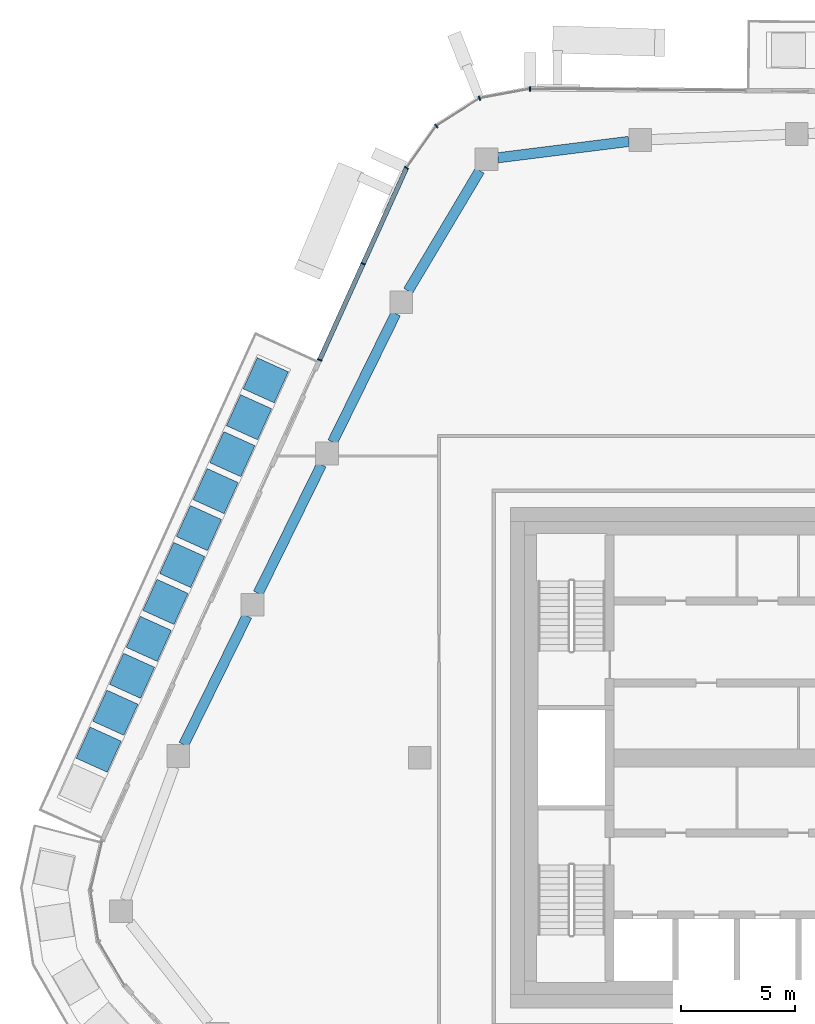
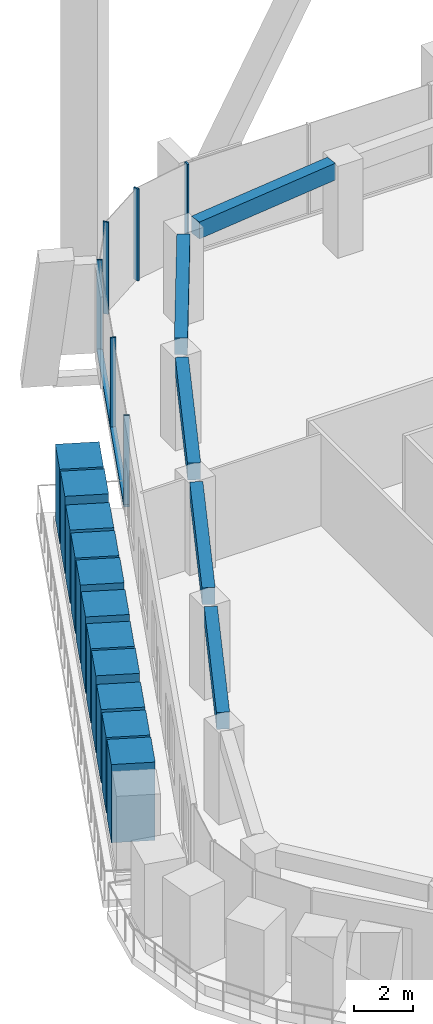
# One storey, part 6 of 23: 18 members, 5 beams, 3 elements without a shape of their own.
"""IFC4 building model written with IfcOpenShell, lengths in metres."""

from ifc_helpers import new_model, si_unit, direction, frame, origin, origin_2d, place, context, subcontext, project, spatial, rectangle, extrude, material, layer, layer_set, material_profile, profile_set, type_object, element, aggregate, save


model = new_model("IFC4")

# Units and contexts
model_context = context("Model", 3, precision=1e-05, world=origin(), true_north=direction((0.0, 1.0)))
body_context = subcontext(model_context, "Body", "Model", "MODEL_VIEW")
ifc_project = project(units=[si_unit("LENGTHUNIT", "METRE"), si_unit("AREAUNIT", "SQUARE_METRE"), si_unit("VOLUMEUNIT", "CUBIC_METRE"), si_unit("PLANEANGLEUNIT", "RADIAN"), si_unit("MASSUNIT", "GRAM", prefix="KILO")], contexts=[model_context])

# Site, building, storey
site_placement = place(None, origin())
site = spatial("IfcSite", under=ifc_project, at=site_placement, CompositionType="ELEMENT")
building_placement = place(site_placement, origin())
building = spatial("IfcBuilding", under=site, at=building_placement, Name="Dongbaek Canopy Tower", CompositionType="ELEMENT")
storey_placement = place(building_placement, frame((0.0, 0.0, 319.39990234375)))
storey = spatial("IfcBuildingStorey", under=building, at=storey_placement, Name="L68", CompositionType="ELEMENT", Elevation=319.39990234375)

# Curtain wall, member
ifc_material_1 = material(Name="Aluminium 6063-T6 pale anodised", Category="aluminium")
ifc_layer = layer(ifc_material_1, 0.199951171875)
ifc_layer_set = layer_set([ifc_layer], Name="CW-1 unitised tower curtain wall")
curtain_wall_type = type_object("IfcCurtainWallType", Name="CW-1 unitised tower curtain wall", PredefinedType="NOTDEFINED", material=ifc_layer_set)
curtain_wall_1_placement = place(storey_placement, origin())
curtain_wall_1 = element("IfcCurtainWall", 1, at=curtain_wall_1_placement, inside=storey, type_object=curtain_wall_type, Name="CW-1 curtain wall F1.1", PredefinedType="NOTDEFINED")
ifc_material_2 = material(Name="Aluminium 6063-T6 pale anodised", Category="aluminium")
ifc_material_profile_1 = material_profile(ifc_material_2, rectangle(XDim=0.199951171875, YDim=0.06005859375, at=origin_2d()), Name="CW-1 mullion 60 x 200")
ifc_profile_set_1 = profile_set([ifc_material_profile_1], Name="Aluminium 6063-T6 pale anodised")
member_type_1 = type_object("IfcMemberType", Name="CW-1 mullion 60 x 200", PredefinedType="MULLION", material=ifc_profile_set_1)
member_1_placement = place(storey_placement, frame((-13.144775390625, 29.4150390625, 0.1201171875), z_axis=(0.0, 0.0, 1.0), x_axis=(0.007781807363, 0.999969721279, 0.0)))
member_1 = element("IfcMember", 2, at=member_1_placement, type_object=member_type_1, Name="CW-1 mullion F1.1.3", PredefinedType="MULLION", context=body_context, shape_type="SweptSolid", body=[
    extrude(rectangle(XDim=0.199951171875, YDim=0.06005859375, at=origin_2d()), origin(), (0.0, 0.0, 1.0), 3.699951171875),
])
aggregate(curtain_wall_1, [member_1])

# Curtain wall, members
curtain_wall_2_placement = place(storey_placement, origin())
curtain_wall_2 = element("IfcCurtainWall", 3, at=curtain_wall_2_placement, inside=storey, type_object=curtain_wall_type, Name="CW-1 curtain wall K2.1", PredefinedType="NOTDEFINED")
member_2_placement = place(storey_placement, frame((-15.37060546875, 28.99951171875, 0.0), z_axis=(0.0, 0.0, 1.0), x_axis=(-0.367962491797, 0.929840633996, 0.0)))
member_2 = element("IfcMember", 4, at=member_2_placement, type_object=member_type_1, Name="CW-1 mullion K2.1.2", PredefinedType="MULLION", context=body_context, shape_type="SweptSolid", body=[
    extrude(rectangle(XDim=0.199951171875, YDim=0.06005859375, at=origin_2d()), origin(), (0.0, 0.0, 1.0), 3.820068359375),
])
member_3_placement = place(storey_placement, frame((-17.269775390625, 27.78466796875, 0.0), z_axis=(0.0, 0.0, 1.0), x_axis=(-0.689946783833, 0.723860093857, 0.0)))
member_3 = element("IfcMember", 5, at=member_3_placement, type_object=member_type_1, Name="CW-1 mullion K2.1.3", PredefinedType="MULLION", context=body_context, shape_type="SweptSolid", body=[
    extrude(rectangle(XDim=0.199951171875, YDim=0.06005859375, at=origin_2d()), origin(), (0.0, 0.0, 1.0), 3.820068359375),
])
member_4_placement = place(storey_placement, frame((-18.580078125, 25.93798828125, 0.0), z_axis=(0.0, 0.0, 1.0), x_axis=(-0.815570774444, 0.578657335452, 0.0)))
member_4 = element("IfcMember", 6, at=member_4_placement, type_object=member_type_1, Name="CW-1 mullion K2.1.4", PredefinedType="MULLION", context=body_context, shape_type="SweptSolid", body=[
    extrude(rectangle(XDim=0.199951171875, YDim=0.06005859375, at=origin_2d()), origin(), (0.0, 0.0, 1.0), 3.820068359375),
])
aggregate(curtain_wall_2, [member_2, member_3, member_4])

curtain_wall_3_placement = place(storey_placement, origin())
curtain_wall_3 = element("IfcCurtainWall", 7, at=curtain_wall_3_placement, inside=storey, type_object=curtain_wall_type, Name="CW-1 curtain wall F2.1", PredefinedType="NOTDEFINED")
member_5_placement = place(storey_placement, frame((-20.487548828125, 21.720947265625, 0.1201171875), z_axis=(0.0, 0.0, 1.0), x_axis=(-0.911128562459, 0.412122242389, 0.0)))
member_5 = element("IfcMember", 8, at=member_5_placement, type_object=member_type_1, Name="CW-1 mullion F2.1.2", PredefinedType="MULLION", context=body_context, shape_type="SweptSolid", body=[
    extrude(rectangle(XDim=0.199951171875, YDim=0.06005859375, at=origin_2d()), origin(), (0.0, 0.0, 1.0), 3.699951171875),
])
member_6_placement = place(storey_placement, frame((-22.39892578125, 17.4951171875, 0.1201171875), z_axis=(0.0, 0.0, 1.0), x_axis=(-0.911128562459, 0.412122242389, 0.0)))
member_6 = element("IfcMember", 9, at=member_6_placement, type_object=member_type_1, Name="CW-1 mullion F2.1.3", PredefinedType="MULLION", context=body_context, shape_type="SweptSolid", body=[
    extrude(rectangle(XDim=0.199951171875, YDim=0.06005859375, at=origin_2d()), origin(), (0.0, 0.0, 1.0), 3.699951171875),
])
ifc_material_3 = material(Name="Aluminium 6063-T6 pale anodised", Category="aluminium")
ifc_material_profile_2 = material_profile(ifc_material_3, rectangle(XDim=0.199951171875, YDim=0.1201171875, at=origin_2d()), Name="CW-1 transom 120 x 200")
ifc_profile_set_2 = profile_set([ifc_material_profile_2], Name="Aluminium 6063-T6 pale anodised")
member_type_2 = type_object("IfcMemberType", Name="CW-1 transom 120 x 200", PredefinedType="USERDEFINED", material=ifc_profile_set_2)
member_7_placement = place(storey_placement, frame((-18.580078125, 25.93798828125, 0.06005859375), z_axis=(-0.412118919736, -0.911130065356, 0.0), x_axis=(0.911130065356, -0.412118919736, 0.0)))
member_7 = element("IfcMember", 10, at=member_7_placement, type_object=member_type_2, Name="CW-1 transom F2.1.1", ObjectType="TRANSOM", PredefinedType="USERDEFINED", context=body_context, shape_type="SweptSolid", body=[
    extrude(rectangle(XDim=0.199951171875, YDim=0.1201171875, at=origin_2d()), origin(), (0.0, 0.0, 1.0), 9.266357421875),
])
aggregate(curtain_wall_3, [member_5, member_6, member_7])

# Beams
ifc_material_4 = material(Name="Concrete C60", Category="concrete")
ifc_material_profile_3 = material_profile(ifc_material_4, rectangle(XDim=0.449951171875, YDim=0.699951171875, at=origin_2d()), Name="RC EDGE BEAM 450x700 C60")
ifc_profile_set_3 = profile_set([ifc_material_profile_3], Name="Concrete C60")
beam_type = type_object("IfcBeamType", Name="RC EDGE BEAM 450x700 C60", PredefinedType="BEAM", material=ifc_profile_set_3)
for number, where, z_axis, x_axis, name in (
    (11, (-28.37109375, 0.5859375, 3.47021484375), (0.441293546446, 0.897362806152, 0.0), (-0.897362806152, 0.441293546446, 0.0), "EDGEBEAM:L68:09"),
    (12, (-25.10107421875, 7.235107421875, 3.47021484375), (0.441433810223, 0.897293815421, 0.0), (-0.897293815421, 0.441433810223, 0.0), "EDGEBEAM:L68:10"),
):
    element("IfcBeam", number, at=place(storey_placement, frame(where, z_axis=z_axis, x_axis=x_axis)), inside=storey, type_object=beam_type, Name=name, PredefinedType="BEAM", context=body_context, shape_type="SweptSolid", body=[
        extrude(rectangle(XDim=0.449951171875, YDim=0.699951171875, at=origin_2d()), origin(), (0.0, 0.0, 1.0), 6.29541015625),
    ])
beam_1_placement = place(storey_placement, frame((-21.830078125, 13.884033203125, 3.47021484375), z_axis=(0.441370345445, 0.897325034846, 0.0), x_axis=(-0.897325034846, 0.441370345445, 0.0)))
element("IfcBeam", 13, at=beam_1_placement, inside=storey, type_object=beam_type, Name="EDGEBEAM:L68:11", PredefinedType="BEAM", context=body_context, shape_type="SweptSolid", body=[
    extrude(rectangle(XDim=0.449951171875, YDim=0.699951171875, at=origin_2d()), origin(), (0.0, 0.0, 1.0), 6.294189453125),
])
beam_2_placement = place(storey_placement, frame((-18.50830078125, 20.531982421875, 3.47021484375), z_axis=(0.511535459107, 0.859262168419, 0.0), x_axis=(-0.859262168419, 0.511535459107, 0.0)))
element("IfcBeam", 14, at=beam_2_placement, inside=storey, type_object=beam_type, Name="EDGEBEAM:L68:12", PredefinedType="BEAM", context=body_context, shape_type="SweptSolid", body=[
    extrude(rectangle(XDim=0.449951171875, YDim=0.699951171875, at=origin_2d()), origin(), (0.0, 0.0, 1.0), 6.1552734375),
])
beam_3_placement = place(storey_placement, frame((-14.56201171875, 26.38330078125, 3.47021484375), z_axis=(0.992296006086, 0.123889613389, 0.0), x_axis=(-0.123889613389, 0.992296006086, 0.0)))
element("IfcBeam", 15, at=beam_3_placement, inside=storey, type_object=beam_type, Name="EDGEBEAM:L68:13", PredefinedType="BEAM", context=body_context, shape_type="SweptSolid", body=[
    extrude(rectangle(XDim=0.449951171875, YDim=0.699951171875, at=origin_2d()), origin(), (0.0, 0.0, 1.0), 5.797607421875),
])

# Members
ifc_material_5 = material(Name="Concrete C40/50 planter mass with planting", Category="concrete")
ifc_material_profile_4 = material_profile(ifc_material_5, rectangle(XDim=1.5, YDim=1.5, at=origin_2d()), Name="Terrace PLANTER shrub mass 1500 x 1500")
ifc_profile_set_4 = profile_set([ifc_material_profile_4], Name="Concrete C40/50 planter mass with planting")
member_type_3 = type_object("IfcMemberType", Name="Terrace PLANTER shrub mass 1500 x 1500", PredefinedType="USERDEFINED", material=ifc_profile_set_4)
member_8_placement = place(storey_placement, frame((-24.76806640625, 16.6005859375, 0.420166015625), z_axis=(0.0, 0.0, 1.0), x_axis=(-0.911128562459, 0.412122242389, 0.0)))
element("IfcMember", 16, at=member_8_placement, inside=storey, type_object=member_type_3, Name="Planter shrubs L68 2.1", ObjectType="PLANTER", PredefinedType="USERDEFINED", context=body_context, shape_type="SweptSolid", body=[
    extrude(rectangle(XDim=1.5, YDim=1.5, at=origin_2d()), origin(), (0.0, 0.0, 1.0), 3.08984375),
])
member_9_placement = place(storey_placement, frame((-25.502685546875, 14.9765625, 0.420166015625), z_axis=(0.0, 0.0, 1.0), x_axis=(-0.911128562459, 0.412122242389, 0.0)))
element("IfcMember", 17, at=member_9_placement, inside=storey, type_object=member_type_3, Name="Planter shrubs L68 2.2", ObjectType="PLANTER", PredefinedType="USERDEFINED", context=body_context, shape_type="SweptSolid", body=[
    extrude(rectangle(XDim=1.5, YDim=1.5, at=origin_2d()), origin(), (0.0, 0.0, 1.0), 3.2099609375),
])
member_10_placement = place(storey_placement, frame((-26.2373046875, 13.3525390625, 0.420166015625), z_axis=(0.0, 0.0, 1.0), x_axis=(-0.911128562459, 0.412122242389, 0.0)))
element("IfcMember", 18, at=member_10_placement, inside=storey, type_object=member_type_3, Name="Planter shrubs L68 2.3", ObjectType="PLANTER", PredefinedType="USERDEFINED", context=body_context, shape_type="SweptSolid", body=[
    extrude(rectangle(XDim=1.5, YDim=1.5, at=origin_2d()), origin(), (0.0, 0.0, 1.0), 3.050048828125),
])
member_11_placement = place(storey_placement, frame((-26.971923828125, 11.728515625, 0.420166015625), z_axis=(0.0, 0.0, 1.0), x_axis=(-0.911128562459, 0.412122242389, 0.0)))
element("IfcMember", 19, at=member_11_placement, inside=storey, type_object=member_type_3, Name="Planter shrubs L68 2.4", ObjectType="PLANTER", PredefinedType="USERDEFINED", context=body_context, shape_type="SweptSolid", body=[
    extrude(rectangle(XDim=1.5, YDim=1.5, at=origin_2d()), origin(), (0.0, 0.0, 1.0), 3.1298828125),
])
member_12_placement = place(storey_placement, frame((-27.70654296875, 10.104248046875, 0.420166015625), z_axis=(0.0, 0.0, 1.0), x_axis=(-0.911128562459, 0.412122242389, 0.0)))
element("IfcMember", 20, at=member_12_placement, inside=storey, type_object=member_type_3, Name="Planter shrubs L68 2.5", ObjectType="PLANTER", PredefinedType="USERDEFINED", context=body_context, shape_type="SweptSolid", body=[
    extrude(rectangle(XDim=1.5, YDim=1.5, at=origin_2d()), origin(), (0.0, 0.0, 1.0), 3.25),
])
member_13_placement = place(storey_placement, frame((-28.441162109375, 8.480224609375, 0.420166015625), z_axis=(0.0, 0.0, 1.0), x_axis=(-0.911128562459, 0.412122242389, 0.0)))
element("IfcMember", 21, at=member_13_placement, inside=storey, type_object=member_type_3, Name="Planter shrubs L68 2.6", ObjectType="PLANTER", PredefinedType="USERDEFINED", context=body_context, shape_type="SweptSolid", body=[
    extrude(rectangle(XDim=1.5, YDim=1.5, at=origin_2d()), origin(), (0.0, 0.0, 1.0), 3.169921875),
])
member_14_placement = place(storey_placement, frame((-29.17578125, 6.856201171875, 0.420166015625), z_axis=(0.0, 0.0, 1.0), x_axis=(-0.911128562459, 0.412122242389, 0.0)))
element("IfcMember", 22, at=member_14_placement, inside=storey, type_object=member_type_3, Name="Planter shrubs L68 2.7", ObjectType="PLANTER", PredefinedType="USERDEFINED", context=body_context, shape_type="SweptSolid", body=[
    extrude(rectangle(XDim=1.5, YDim=1.5, at=origin_2d()), origin(), (0.0, 0.0, 1.0), 3.08984375),
])
member_15_placement = place(storey_placement, frame((-29.910400390625, 5.23193359375, 0.420166015625), z_axis=(0.0, 0.0, 1.0), x_axis=(-0.911128562459, 0.412122242389, 0.0)))
element("IfcMember", 23, at=member_15_placement, inside=storey, type_object=member_type_3, Name="Planter shrubs L68 2.8", ObjectType="PLANTER", PredefinedType="USERDEFINED", context=body_context, shape_type="SweptSolid", body=[
    extrude(rectangle(XDim=1.5, YDim=1.5, at=origin_2d()), origin(), (0.0, 0.0, 1.0), 3.2099609375),
])
member_16_placement = place(storey_placement, frame((-30.64501953125, 3.60791015625, 0.420166015625), z_axis=(0.0, 0.0, 1.0), x_axis=(-0.911128562459, 0.412122242389, 0.0)))
element("IfcMember", 24, at=member_16_placement, inside=storey, type_object=member_type_3, Name="Planter shrubs L68 2.9", ObjectType="PLANTER", PredefinedType="USERDEFINED", context=body_context, shape_type="SweptSolid", body=[
    extrude(rectangle(XDim=1.5, YDim=1.5, at=origin_2d()), origin(), (0.0, 0.0, 1.0), 3.050048828125),
])
member_17_placement = place(storey_placement, frame((-31.379638671875, 1.98388671875, 0.420166015625), z_axis=(0.0, 0.0, 1.0), x_axis=(-0.911128562459, 0.412122242389, 0.0)))
element("IfcMember", 25, at=member_17_placement, inside=storey, type_object=member_type_3, Name="Planter shrubs L68 2.10", ObjectType="PLANTER", PredefinedType="USERDEFINED", context=body_context, shape_type="SweptSolid", body=[
    extrude(rectangle(XDim=1.5, YDim=1.5, at=origin_2d()), origin(), (0.0, 0.0, 1.0), 3.1298828125),
])
member_18_placement = place(storey_placement, frame((-32.1142578125, 0.35986328125, 0.420166015625), z_axis=(0.0, 0.0, 1.0), x_axis=(-0.911128562459, 0.412122242389, 0.0)))
element("IfcMember", 26, at=member_18_placement, inside=storey, type_object=member_type_3, Name="Planter shrubs L68 2.11", ObjectType="PLANTER", PredefinedType="USERDEFINED", context=body_context, shape_type="SweptSolid", body=[
    extrude(rectangle(XDim=1.5, YDim=1.5, at=origin_2d()), origin(), (0.0, 0.0, 1.0), 3.25),
])

save(model, "model.ifc")
